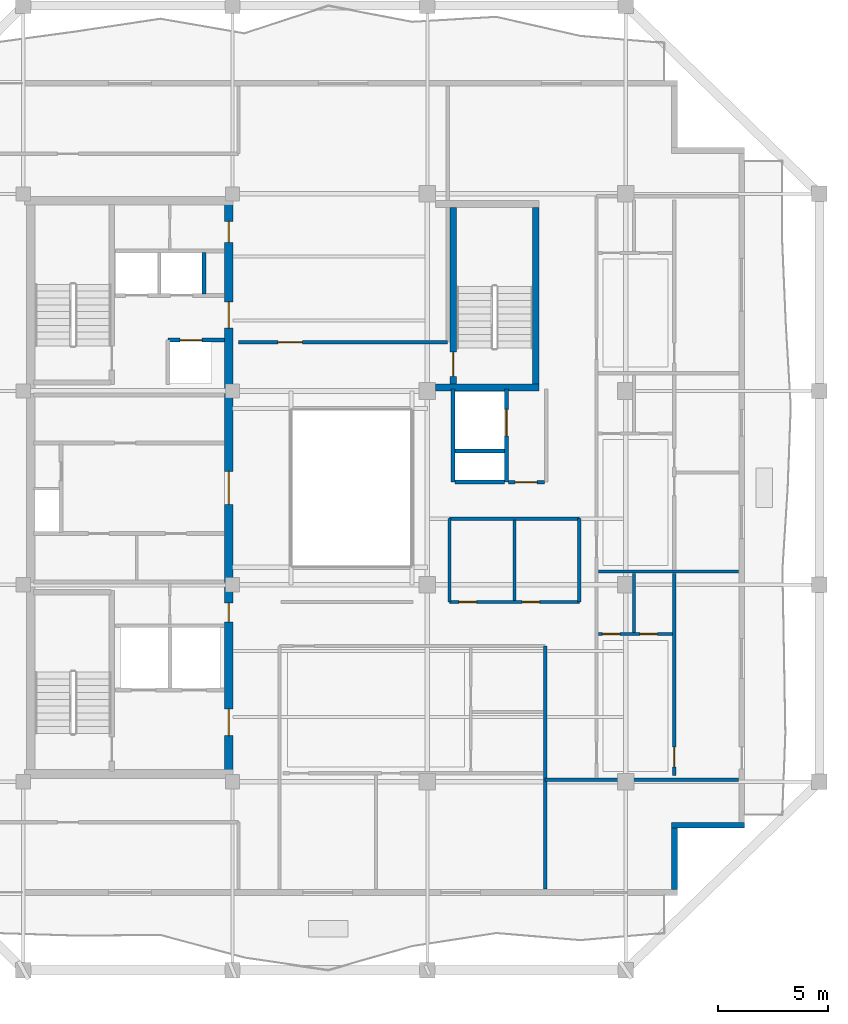
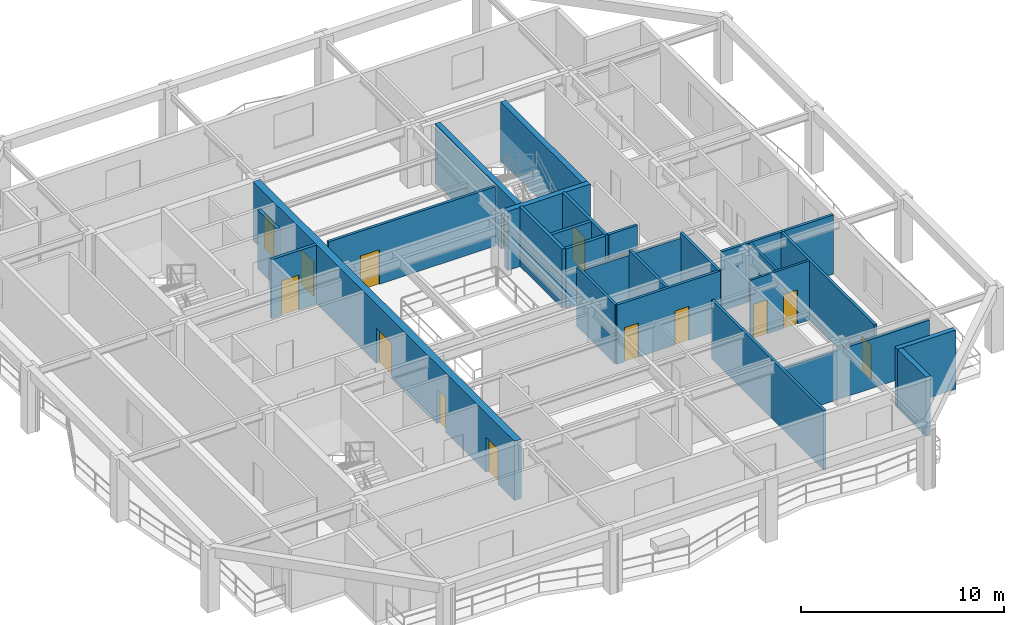
# One storey, part 4 of 10: 25 walls, 15 doors, 15 openings.
"""IFC4 building model written with IfcOpenShell, lengths in metres."""

from ifc_helpers import new_model, si_unit, direction, frame, frame_2d, origin, place, context, subcontext, project, spatial, rectangle, extrude, material, layer, layer_set, type_object, element, fill, save


model = new_model("IFC4")

# Units and contexts
model_context = context("Model", 3, precision=1e-05, world=origin(), true_north=direction((0.0, 1.0)))
body_context = subcontext(model_context, "Body", "Model", "MODEL_VIEW")
ifc_project = project(units=[si_unit("LENGTHUNIT", "METRE"), si_unit("AREAUNIT", "SQUARE_METRE"), si_unit("VOLUMEUNIT", "CUBIC_METRE"), si_unit("PLANEANGLEUNIT", "RADIAN"), si_unit("MASSUNIT", "GRAM", prefix="KILO")], contexts=[model_context])

# Site, building, storey
site_placement = place(None, origin())
site = spatial("IfcSite", under=ifc_project, at=site_placement, CompositionType="ELEMENT")
building_placement = place(site_placement, origin())
building = spatial("IfcBuilding", under=site, at=building_placement, Name="Kundavana Baori Tower", CompositionType="ELEMENT")
storey_placement = place(building_placement, frame((0.0, 0.0, 320.10009765625)))
storey = spatial("IfcBuildingStorey", under=building, at=storey_placement, Name="L79", CompositionType="ELEMENT", Elevation=320.10009765625)

# Wall, openings, doors
ifc_material_1 = material(Name="Concrete C50/60", Category="concrete")
ifc_layer_1 = layer(ifc_material_1, 0.39990234375, Name="WL-CORE-400")
ifc_layer_set_1 = layer_set([ifc_layer_1], Name="Concrete C50/60")
wall_type_1 = type_object("IfcWallType", Name="WL-CORE-400", PredefinedType="SHEAR", material=ifc_layer_set_1)
wall_1_placement = place(storey_placement, frame((24.780029296875, 15.739990234375, 0.0), z_axis=(0.0, 0.0, 1.0), x_axis=(0.0, 1.0, 0.0)))
wall_1 = element("IfcWall", 1, at=wall_1_placement, inside=storey, type_object=wall_type_1, Name="L79 Offset Core East Shear Wall", PredefinedType="SHEAR", context=body_context, shape_type="SweptSolid", body=[
    extrude(rectangle(XDim=25.760009765625, YDim=0.39990234375, at=frame_2d((12.8798828125, 0.0))), origin(), (0.0, 0.0, 1.0), 3.559814453125),
])
opening_1_placement = place(wall_1_placement, frame((1.610107421875, 0.0, 0.0)))
opening_1 = element("IfcOpeningElement", 2, at=opening_1_placement, cuts=wall_1, Name="Opening FD-120", PredefinedType="OPENING", context=body_context, shape_type="SweptSolid", body=[
    extrude(rectangle(XDim=1.199951171875, YDim=2.10009765625, at=frame_2d((0.60009765625, 1.050048828125))), frame((0.0, 0.2099609375, 0.0), z_axis=(0.0, -1.0, 0.0), x_axis=(1.0, 0.0, 0.0)), (0.0, 0.0, 1.0), 0.419921875),
])
opening_2_placement = place(wall_1_placement, frame((6.780029296875, 0.0, 0.0)))
opening_2 = element("IfcOpeningElement", 3, at=opening_2_placement, cuts=wall_1, Name="Opening FD-085", PredefinedType="OPENING", context=body_context, shape_type="SweptSolid", body=[
    extrude(rectangle(XDim=0.85009765625, YDim=2.06005859375, at=frame_2d((0.425048828125, 1.030029296875))), frame((0.0, 0.2099609375, 0.0), z_axis=(0.0, -1.0, 0.0), x_axis=(1.0, 0.0, 0.0)), (0.0, 0.0, 1.0), 0.419921875),
])
opening_3_placement = place(wall_1_placement, frame((12.110107421875, 0.0, 0.0)))
opening_3 = element("IfcOpeningElement", 4, at=opening_3_placement, cuts=wall_1, Name="Opening FD-150", PredefinedType="OPENING", context=body_context, shape_type="SweptSolid", body=[
    extrude(rectangle(XDim=1.5, YDim=2.1201171875, at=frame_2d((0.75, 1.06005859375))), frame((0.0, 0.2099609375, 0.0), z_axis=(0.0, -1.0, 0.0), x_axis=(1.0, 0.0, 0.0)), (0.0, 0.0, 1.0), 0.419921875),
])
opening_4_placement = place(wall_1_placement, frame((20.110107421875, 0.0, 0.0)))
opening_4 = element("IfcOpeningElement", 5, at=opening_4_placement, cuts=wall_1, Name="Opening FD-122", PredefinedType="OPENING", context=body_context, shape_type="SweptSolid", body=[
    extrude(rectangle(XDim=1.199951171875, YDim=2.1201171875, at=frame_2d((0.60009765625, 1.06005859375))), frame((0.0, 0.2099609375, 0.0), z_axis=(0.0, -1.0, 0.0), x_axis=(1.0, 0.0, 0.0)), (0.0, 0.0, 1.0), 0.419921875),
])
opening_5_placement = place(wall_1_placement, frame((24.010009765625, 0.0, 0.0)))
opening_5 = element("IfcOpeningElement", 6, at=opening_5_placement, cuts=wall_1, Name="Opening FD-095", PredefinedType="OPENING", context=body_context, shape_type="SweptSolid", body=[
    extrude(rectangle(XDim=0.949951171875, YDim=2.10009765625, at=frame_2d((0.47509765625, 1.050048828125))), frame((0.0, 0.2099609375, 0.0), z_axis=(0.0, -1.0, 0.0), x_axis=(1.0, 0.0, 0.0)), (0.0, 0.0, 1.0), 0.419921875),
])
ifc_material_2 = material(Name="Galvanised Steel Fire-Rated Door Leaf", Category="steel")
door_type_1 = type_object("IfcDoorType", Name="DR-FD120-1200", OperationType="NOTDEFINED", PredefinedType="DOOR", material=ifc_material_2)
door_1_placement = place(opening_1_placement, frame((1.199951171875, 0.0, 0.0), z_axis=(0.0, 0.0, 1.0), x_axis=(-1.0, 0.0, 0.0)))
door_1 = element("IfcDoor", 7, at=door_1_placement, inside=storey, type_object=door_type_1, Name="DR-L79-FFLOB-E", OperationType="SINGLE_SWING_RIGHT", OverallHeight=2.10009765625, OverallWidth=1.199951171875, PredefinedType="DOOR", context=body_context, shape_type="SweptSolid", body=[
    extrude(rectangle(XDim=1.199951171875, YDim=2.10009765625, at=frame_2d((0.60009765625, 1.050048828125))), frame((0.0, 0.02490234375, 0.0), z_axis=(0.0, -1.0, 0.0), x_axis=(1.0, 0.0, 0.0)), (0.0, 0.0, 1.0), 0.050048828125),
])
fill(opening_1, door_1)
ifc_material_3 = material(Name="Galvanised Steel Fire-Rated Door Leaf", Category="steel")
door_type_2 = type_object("IfcDoorType", Name="DR-FD60-1200", OperationType="NOTDEFINED", PredefinedType="DOOR", material=ifc_material_3)
door_2_placement = place(opening_4_placement, frame((1.199951171875, 0.0, 0.0), z_axis=(0.0, 0.0, 1.0), x_axis=(-1.0, 0.0, 0.0)))
door_2 = element("IfcDoor", 8, at=door_2_placement, inside=storey, type_object=door_type_2, Name="DR-L79-HRLOB-E", OperationType="SINGLE_SWING_RIGHT", OverallHeight=2.1201171875, OverallWidth=1.199951171875, PredefinedType="DOOR", context=body_context, shape_type="SweptSolid", body=[
    extrude(rectangle(XDim=1.199951171875, YDim=2.1201171875, at=frame_2d((0.60009765625, 1.06005859375))), frame((0.0, 0.02490234375, 0.0), z_axis=(0.0, -1.0, 0.0), x_axis=(1.0, 0.0, 0.0)), (0.0, 0.0, 1.0), 0.050048828125),
])
fill(opening_4, door_2)
ifc_material_4 = material(Name="Galvanised Steel Fire-Rated Door Leaf", Category="steel")
door_type_3 = type_object("IfcDoorType", Name="DR-FD60-1500", OperationType="NOTDEFINED", PredefinedType="DOOR", material=ifc_material_4)
door_3_placement = place(opening_3_placement, frame((1.5, 0.0, 0.0), z_axis=(0.0, 0.0, 1.0), x_axis=(-1.0, 0.0, 0.0)))
door_3 = element("IfcDoor", 9, at=door_3_placement, inside=storey, type_object=door_type_3, Name="DR-L79-LIFTHALL-E", OperationType="SINGLE_SWING_LEFT", OverallHeight=2.1201171875, OverallWidth=1.5, PredefinedType="DOOR", context=body_context, shape_type="SweptSolid", body=[
    extrude(rectangle(XDim=1.5, YDim=2.1201171875, at=frame_2d((0.75, 1.06005859375))), frame((0.0, 0.02490234375, 0.0), z_axis=(0.0, -1.0, 0.0), x_axis=(1.0, 0.0, 0.0)), (0.0, 0.0, 1.0), 0.050048828125),
])
fill(opening_3, door_3)
ifc_material_5 = material(Name="Galvanised Steel Fire-Rated Door Leaf", Category="steel")
door_type_4 = type_object("IfcDoorType", Name="DR-FD60-850", OperationType="NOTDEFINED", PredefinedType="DOOR", material=ifc_material_5)
door_4_placement = place(opening_2_placement, frame((0.85009765625, 0.0, 0.0), z_axis=(0.0, 0.0, 1.0), x_axis=(-1.0, 0.0, 0.0)))
door_4 = element("IfcDoor", 10, at=door_4_placement, inside=storey, type_object=door_type_4, Name="DR-L79-CSMK2", OperationType="SINGLE_SWING_RIGHT", OverallHeight=2.06005859375, OverallWidth=0.85009765625, PredefinedType="DOOR", context=body_context, shape_type="SweptSolid", body=[
    extrude(rectangle(XDim=0.85009765625, YDim=2.06005859375, at=frame_2d((0.425048828125, 1.030029296875))), frame((0.0, 0.02490234375, 0.0), z_axis=(0.0, -1.0, 0.0), x_axis=(1.0, 0.0, 0.0)), (0.0, 0.0, 1.0), 0.050048828125),
])
fill(opening_2, door_4)
ifc_material_6 = material(Name="Engineered Teak Fire-Rated Timber Door Leaf", Category="wood")
door_type_5 = type_object("IfcDoorType", Name="DR-FD60-950", OperationType="NOTDEFINED", PredefinedType="DOOR", material=ifc_material_6)
door_5_placement = place(opening_5_placement, frame((0.949951171875, 0.0, 0.0), z_axis=(0.0, 0.0, 1.0), x_axis=(-1.0, 0.0, 0.0)))
door_5 = element("IfcDoor", 11, at=door_5_placement, inside=storey, type_object=door_type_5, Name="DR-L79-CSRV2", OperationType="SINGLE_SWING_RIGHT", OverallHeight=2.10009765625, OverallWidth=0.949951171875, PredefinedType="DOOR", context=body_context, shape_type="SweptSolid", body=[
    extrude(rectangle(XDim=0.949951171875, YDim=2.10009765625, at=frame_2d((0.47509765625, 1.050048828125))), frame((0.0, 0.02490234375, 0.0), z_axis=(0.0, -1.0, 0.0), x_axis=(1.0, 0.0, 0.0)), (0.0, 0.0, 1.0), 0.050048828125),
])
fill(opening_5, door_5)

# Walls
ifc_material_7 = material(Name="Kiln-Fired Terracotta Brick-Slip Masonry on Concrete C40/50", Category="masonry")
ifc_layer_2 = layer(ifc_material_7, 0.260009765625, Name="WL-EXT-BRK-260")
ifc_layer_set_2 = layer_set([ifc_layer_2], Name="Kiln-Fired Terracotta Brick-Slip Masonry on Concrete C40/50")
wall_type_2 = type_object("IfcWallType", Name="WL-EXT-BRK-260", PredefinedType="SOLIDWALL", material=ifc_layer_set_2)
wall_2_placement = place(storey_placement, frame((45.02001953125, 10.360107421875, 0.0), z_axis=(0.0, 0.0, 1.0), x_axis=(0.0, 1.0, 0.0)))
element("IfcWall", 12, at=wall_2_placement, inside=storey, type_object=wall_type_2, Name="L79 Exterior Insulated Facade Wall 02", PredefinedType="SOLIDWALL", context=body_context, shape_type="SweptSolid", body=[
    extrude(rectangle(XDim=2.789794921875, YDim=0.260009765625, at=frame_2d((1.39501953125, 0.0))), origin(), (0.0, 0.0, 1.0), 3.559814453125),
])
wall_3_placement = place(storey_placement, frame((44.889892578125, 13.280029296875, 0.0), z_axis=(0.0, 0.0, 1.0), x_axis=(1.0, 0.0, 0.0)))
element("IfcWall", 13, at=wall_3_placement, inside=storey, type_object=wall_type_2, Name="L79 Exterior Insulated Facade Wall 03", PredefinedType="SOLIDWALL", context=body_context, shape_type="SweptSolid", body=[
    extrude(rectangle(XDim=3.31005859375, YDim=0.260009765625, at=frame_2d((1.655029296875, 0.0))), origin(), (0.0, 0.0, 1.0), 3.559814453125),
])

# Wall, opening, door
ifc_material_8 = material(Name="Fire-Rated Gypsum Drywall on Galvanised Steel Studs", Category="steel")
ifc_layer_3 = layer(ifc_material_8, 0.14990234375, Name="WL-PART-150")
ifc_layer_set_3 = layer_set([ifc_layer_3], Name="Fire-Rated Gypsum Drywall on Galvanised Steel Studs")
wall_type_3 = type_object("IfcWallType", Name="WL-PART-150", PredefinedType="PARTITIONING", material=ifc_layer_set_3)
wall_4_placement = place(storey_placement, frame((37.47998046875, 28.860107421875, 0.0), z_axis=(0.0, 0.0, 1.0), x_axis=(1.0, 0.0, 0.0)))
wall_4 = element("IfcWall", 14, at=wall_4_placement, inside=storey, type_object=wall_type_3, Name="WL-L79-SVLOB-S", PredefinedType="PARTITIONING", context=body_context, shape_type="SweptSolid", body=[
    extrude(rectangle(XDim=1.64013671875, YDim=0.14990234375, at=frame_2d((0.820068359375, 0.0))), origin(), (0.0, 0.0, 1.0), 3.559814453125),
])
opening_6_placement = place(wall_4_placement, frame((0.300048828125, 0.0, 0.0)))
opening_6 = element("IfcOpeningElement", 15, at=opening_6_placement, cuts=wall_4, Name="Opening FD-100", PredefinedType="OPENING", context=body_context, shape_type="SweptSolid", body=[
    extrude(rectangle(XDim=1.0, YDim=2.10009765625, at=frame_2d((0.5, 1.050048828125))), frame((0.0, 0.0849609375, 0.0), z_axis=(0.0, -1.0, 0.0), x_axis=(1.0, 0.0, 0.0)), (0.0, 0.0, 1.0), 0.169921875),
])
ifc_material_9 = material(Name="Engineered Teak Fire-Rated Timber Door Leaf", Category="wood")
door_type_6 = type_object("IfcDoorType", Name="DR-FD60-1000", OperationType="NOTDEFINED", PredefinedType="DOOR", material=ifc_material_9)
door_6_placement = place(opening_6_placement, origin())
door_6 = element("IfcDoor", 16, at=door_6_placement, inside=storey, type_object=door_type_6, Name="DR-L79-SVLOB-OUT", OperationType="SINGLE_SWING_LEFT", OverallHeight=2.10009765625, OverallWidth=1.0, PredefinedType="DOOR", context=body_context, shape_type="SweptSolid", body=[
    extrude(rectangle(XDim=1.0, YDim=2.10009765625, at=frame_2d((0.5, 1.050048828125))), frame((0.0, 0.02490234375, 0.0), z_axis=(0.0, -1.0, 0.0), x_axis=(1.0, 0.0, 0.0)), (0.0, 0.0, 1.0), 0.050048828125),
])
fill(opening_6, door_6)

wall_5_placement = place(storey_placement, frame((25.219970703125, 35.219970703125, 0.0), z_axis=(0.0, 0.0, 1.0), x_axis=(1.0, 0.0, 0.0)))
wall_5 = element("IfcWall", 17, at=wall_5_placement, inside=storey, type_object=wall_type_3, Name="WL-L79-RN", PredefinedType="PARTITIONING", context=body_context, shape_type="SweptSolid", body=[
    extrude(rectangle(XDim=9.5, YDim=0.14990234375, at=frame_2d((4.75, 0.0))), origin(), (0.0, 0.0, 1.0), 3.559814453125),
])
opening_7_placement = place(wall_5_placement, frame((1.800048828125, 0.0, 0.0)))
opening_7 = element("IfcOpeningElement", 18, at=opening_7_placement, cuts=wall_5, Name="Opening ID-110", PredefinedType="OPENING", context=body_context, shape_type="SweptSolid", body=[
    extrude(rectangle(XDim=1.10009765625, YDim=2.080078125, at=frame_2d((0.550048828125, 1.0400390625))), frame((0.0, 0.0849609375, 0.0), z_axis=(0.0, -1.0, 0.0), x_axis=(1.0, 0.0, 0.0)), (0.0, 0.0, 1.0), 0.169921875),
])
ifc_material_10 = material(Name="Engineered Teak Solid-Core Timber Veneer", Category="wood")
door_type_7 = type_object("IfcDoorType", Name="DR-INT-1100", OperationType="NOTDEFINED", PredefinedType="DOOR", material=ifc_material_10)
door_7_placement = place(opening_7_placement, origin())
door_7 = element("IfcDoor", 19, at=door_7_placement, inside=storey, type_object=door_type_7, Name="DR-L79-RLNGN", OperationType="SINGLE_SWING_RIGHT", OverallHeight=2.080078125, OverallWidth=1.10009765625, PredefinedType="DOOR", context=body_context, shape_type="SweptSolid", body=[
    extrude(rectangle(XDim=1.10009765625, YDim=2.080078125, at=frame_2d((0.550048828125, 1.0400390625))), frame((0.0, 0.02490234375, 0.0), z_axis=(0.0, -1.0, 0.0), x_axis=(1.0, 0.0, 0.0)), (0.0, 0.0, 1.0), 0.050048828125),
])
fill(opening_7, door_7)

# Walls
wall_6_placement = place(storey_placement, frame((39.14990234375, 10.3798828125, 0.0), z_axis=(0.0, 0.0, 1.0), x_axis=(0.0, 1.0, 0.0)))
element("IfcWall", 20, at=wall_6_placement, inside=storey, type_object=wall_type_3, Name="WL-L79-RSEND", PredefinedType="PARTITIONING", context=body_context, shape_type="SweptSolid", body=[
    extrude(rectangle(XDim=11.0400390625, YDim=0.14990234375, at=frame_2d((5.52001953125, 0.0))), origin(), (0.0, 0.0, 1.0), 3.559814453125),
])
wall_7_placement = place(storey_placement, frame((39.14990234375, 15.35009765625, 0.0), z_axis=(0.0, 0.0, 1.0), x_axis=(1.0, 0.0, 0.0)))
element("IfcWall", 21, at=wall_7_placement, inside=storey, type_object=wall_type_3, Name="WL-L79-RES", PredefinedType="PARTITIONING", context=body_context, shape_type="SweptSolid", body=[
    extrude(rectangle(XDim=8.77001953125, YDim=0.14990234375, at=frame_2d((4.385009765625, 0.0))), origin(), (0.0, 0.0, 1.0), 2.9599609375),
])

# Wall, opening, door
wall_8_placement = place(storey_placement, frame((45.00390625, 15.530029296875, 0.0), z_axis=(0.0, 0.0, 1.0), x_axis=(0.0, 1.0, 0.0)))
wall_8 = element("IfcWall", 22, at=wall_8_placement, inside=storey, type_object=wall_type_3, Name="WL-L79-E1-VT", PredefinedType="PARTITIONING", context=body_context, shape_type="SweptSolid", body=[
    extrude(rectangle(XDim=9.18994140625, YDim=0.14990234375, at=frame_2d((4.594970703125, 0.0))), origin(), (0.0, 0.0, 1.0), 3.559814453125),
])
opening_8_placement = place(wall_8_placement, frame((0.39990234375, 0.0, 0.0)))
opening_8 = element("IfcOpeningElement", 23, at=opening_8_placement, cuts=wall_8, Name="Opening ID-090", PredefinedType="OPENING", context=body_context, shape_type="SweptSolid", body=[
    extrude(rectangle(XDim=0.89990234375, YDim=2.080078125, at=frame_2d((0.449951171875, 1.0400390625))), frame((0.0, 0.0849609375, 0.0), z_axis=(0.0, -1.0, 0.0), x_axis=(1.0, 0.0, 0.0)), (0.0, 0.0, 1.0), 0.169921875),
])
ifc_material_11 = material(Name="Engineered Teak Solid-Core Timber Veneer", Category="wood")
door_type_8 = type_object("IfcDoorType", Name="DR-INT-900", OperationType="NOTDEFINED", PredefinedType="DOOR", material=ifc_material_11)
door_8_placement = place(opening_8_placement, origin())
door_8 = element("IfcDoor", 24, at=door_8_placement, inside=storey, type_object=door_type_8, Name="DR-L79-E1-B1", OperationType="SINGLE_SWING_LEFT", OverallHeight=2.080078125, OverallWidth=0.89990234375, PredefinedType="DOOR", context=body_context, shape_type="SweptSolid", body=[
    extrude(rectangle(XDim=0.89990234375, YDim=2.080078125, at=frame_2d((0.449951171875, 1.0400390625))), frame((0.0, 0.02490234375, 0.0), z_axis=(0.0, -1.0, 0.0), x_axis=(1.0, 0.0, 0.0)), (0.0, 0.0, 1.0), 0.050048828125),
])
fill(opening_8, door_8)

# Wall
wall_9_placement = place(storey_placement, frame((41.56005859375, 24.800048828125, 0.0), z_axis=(0.0, 0.0, 1.0), x_axis=(1.0, 0.0, 0.0)))
element("IfcWall", 25, at=wall_9_placement, inside=storey, type_object=wall_type_3, Name="WL-L79-RED1", PredefinedType="PARTITIONING", context=body_context, shape_type="SweptSolid", body=[
    extrude(rectangle(XDim=6.35986328125, YDim=0.14990234375, at=frame_2d((3.179931640625, 0.0))), origin(), (0.0, 0.0, 1.0), 3.559814453125),
])

# Wall, openings, doors
wall_10_placement = place(storey_placement, frame((34.800048828125, 23.419921875, 0.0), z_axis=(0.0, 0.0, 1.0), x_axis=(1.0, 0.0, 0.0)))
wall_10 = element("IfcWall", 26, at=wall_10_placement, inside=storey, type_object=wall_type_3, Name="WL-L79-ALS", PredefinedType="PARTITIONING", context=body_context, shape_type="SweptSolid", body=[
    extrude(rectangle(XDim=5.89990234375, YDim=0.14990234375, at=frame_2d((2.949951171875, 0.0))), origin(), (0.0, 0.0, 1.0), 3.559814453125),
])
opening_9_placement = place(wall_10_placement, frame((0.429931640625, 0.0, 0.0)))
opening_9 = element("IfcOpeningElement", 27, at=opening_9_placement, cuts=wall_10, Name="Opening WD-080", PredefinedType="OPENING", context=body_context, shape_type="SweptSolid", body=[
    extrude(rectangle(XDim=0.800048828125, YDim=2.050048828125, at=frame_2d((0.39990234375, 1.02490234375))), frame((0.0, 0.0849609375, 0.0), z_axis=(0.0, -1.0, 0.0), x_axis=(1.0, 0.0, 0.0)), (0.0, 0.0, 1.0), 0.169921875),
])
opening_10_placement = place(wall_10_placement, frame((3.300048828125, 0.0, 0.0)))
opening_10 = element("IfcOpeningElement", 28, at=opening_10_placement, cuts=wall_10, Name="Opening WD-080", PredefinedType="OPENING", context=body_context, shape_type="SweptSolid", body=[
    extrude(rectangle(XDim=0.800048828125, YDim=2.050048828125, at=frame_2d((0.39990234375, 1.02490234375))), frame((0.0, 0.0849609375, 0.0), z_axis=(0.0, -1.0, 0.0), x_axis=(1.0, 0.0, 0.0)), (0.0, 0.0, 1.0), 0.169921875),
])
ifc_material_12 = material(Name="Engineered Teak Solid-Core Timber Veneer", Category="wood")
door_type_9 = type_object("IfcDoorType", Name="DR-WET-800", OperationType="NOTDEFINED", PredefinedType="DOOR", material=ifc_material_12)
door_9_placement = place(opening_9_placement, origin())
door_9 = element("IfcDoor", 29, at=door_9_placement, inside=storey, type_object=door_type_9, Name="DR-L79-RALC1", OperationType="SINGLE_SWING_LEFT", OverallHeight=2.050048828125, OverallWidth=0.800048828125, PredefinedType="DOOR", context=body_context, shape_type="SweptSolid", body=[
    extrude(rectangle(XDim=0.800048828125, YDim=2.050048828125, at=frame_2d((0.39990234375, 1.02490234375))), frame((0.0, 0.02490234375, 0.0), z_axis=(0.0, -1.0, 0.0), x_axis=(1.0, 0.0, 0.0)), (0.0, 0.0, 1.0), 0.050048828125),
])
fill(opening_9, door_9)
door_10_placement = place(opening_10_placement, origin())
door_10 = element("IfcDoor", 30, at=door_10_placement, inside=storey, type_object=door_type_9, Name="DR-L79-RALC2", OperationType="SINGLE_SWING_LEFT", OverallHeight=2.050048828125, OverallWidth=0.800048828125, PredefinedType="DOOR", context=body_context, shape_type="SweptSolid", body=[
    extrude(rectangle(XDim=0.800048828125, YDim=2.050048828125, at=frame_2d((0.39990234375, 1.02490234375))), frame((0.0, 0.02490234375, 0.0), z_axis=(0.0, -1.0, 0.0), x_axis=(1.0, 0.0, 0.0)), (0.0, 0.0, 1.0), 0.050048828125),
])
fill(opening_10, door_10)

# Walls
wall_11_placement = place(storey_placement, frame((34.800048828125, 27.199951171875, 0.0), z_axis=(0.0, 0.0, 1.0), x_axis=(1.0, 0.0, 0.0)))
element("IfcWall", 31, at=wall_11_placement, inside=storey, type_object=wall_type_3, Name="WL-L79-ALN", PredefinedType="PARTITIONING", context=body_context, shape_type="SweptSolid", body=[
    extrude(rectangle(XDim=5.89990234375, YDim=0.14990234375, at=frame_2d((2.949951171875, 0.0))), origin(), (0.0, 0.0, 1.0), 3.260009765625),
])
for number, where, z_axis, x_axis, name in (
    (32, (34.800048828125, 23.419921875, 0.0), (0.0, 0.0, 1.0), (0.0, 1.0, 0.0), "WL-L79-ALW"),
    (33, (40.699951171875, 23.419921875, 0.0), (0.0, 0.0, 1.0), (0.0, 1.0, 0.0), "WL-L79-ALE"),
):
    element("IfcWall", number, at=place(storey_placement, frame(where, z_axis=z_axis, x_axis=x_axis)), inside=storey, type_object=wall_type_3, Name=name, PredefinedType="PARTITIONING", context=body_context, shape_type="SweptSolid", body=[
        extrude(rectangle(XDim=3.780029296875, YDim=0.14990234375, at=frame_2d((1.89013671875, 0.0))), origin(), (0.0, 0.0, 1.0), 3.559814453125),
    ])
wall_12_placement = place(storey_placement, frame((37.75, 23.47998046875, 0.0), z_axis=(0.0, 0.0, 1.0), x_axis=(0.0, 1.0, 0.0)))
element("IfcWall", 34, at=wall_12_placement, inside=storey, type_object=wall_type_3, Name="WL-L79-ALD1", PredefinedType="PARTITIONING", context=body_context, shape_type="SweptSolid", body=[
    extrude(rectangle(XDim=3.659912109375, YDim=0.14990234375, at=frame_2d((1.830078125, 0.0))), origin(), (0.0, 0.0, 1.0), 3.559814453125),
])

# Wall, opening, door
ifc_material_13 = material(Name="Autoclaved Aerated Concrete Blockwork Masonry", Category="masonry")
ifc_layer_4 = layer(ifc_material_13, 0.179931640625, Name="WL-SHAFT-180")
ifc_layer_set_4 = layer_set([ifc_layer_4], Name="Autoclaved Aerated Concrete Blockwork Masonry")
wall_type_4 = type_object("IfcWallType", Name="WL-SHAFT-180", PredefinedType="SOLIDWALL", material=ifc_layer_set_4)
wall_13_placement = place(storey_placement, frame((22.02001953125, 35.31005859375, 0.0), z_axis=(0.0, 0.0, 1.0), x_axis=(1.0, 0.0, 0.0)))
wall_13 = element("IfcWall", 35, at=wall_13_placement, inside=storey, type_object=wall_type_4, Name="WL-L79-LP11-N", PredefinedType="SOLIDWALL", context=body_context, shape_type="SweptSolid", body=[
    extrude(rectangle(XDim=2.56005859375, YDim=0.179931640625, at=frame_2d((1.280029296875, 0.0))), origin(), (0.0, 0.0, 1.0), 3.559814453125),
])
opening_11_placement = place(wall_13_placement, frame((0.550048828125, 0.0, 0.0)))
opening_11 = element("IfcOpeningElement", 36, at=opening_11_placement, cuts=wall_13, Name="Opening LD-100", PredefinedType="OPENING", context=body_context, shape_type="SweptSolid", body=[
    extrude(rectangle(XDim=1.0, YDim=2.10009765625, at=frame_2d((0.5, 1.050048828125))), frame((0.0, 0.10009765625, 0.0), z_axis=(0.0, -1.0, 0.0), x_axis=(1.0, 0.0, 0.0)), (0.0, 0.0, 1.0), 0.199951171875),
])
ifc_material_14 = material(Name="Galvanised Steel Fire-Rated Door Leaf", Category="steel")
door_type_10 = type_object("IfcDoorType", Name="DR-SLIDE-LD1000", OperationType="NOTDEFINED", PredefinedType="DOOR", material=ifc_material_14)
door_11_placement = place(opening_11_placement, origin())
door_11 = element("IfcDoor", 37, at=door_11_placement, inside=storey, type_object=door_type_10, Name="DR-L79-LD-LP11", OperationType="DOUBLE_DOOR_SLIDING", OverallHeight=2.10009765625, OverallWidth=1.0, PredefinedType="DOOR", context=body_context, shape_type="SweptSolid", body=[
    extrude(rectangle(XDim=1.0, YDim=2.10009765625, at=frame_2d((0.5, 1.050048828125))), frame((0.0, 0.02490234375, 0.0), z_axis=(0.0, -1.0, 0.0), x_axis=(1.0, 0.0, 0.0)), (0.0, 0.0, 1.0), 0.050048828125),
])
fill(opening_11, door_11)

# Walls
wall_14_placement = place(storey_placement, frame((23.659912109375, 37.39990234375, 0.0), z_axis=(0.0, 0.0, 1.0), x_axis=(0.0, 1.0, 0.0)))
element("IfcWall", 38, at=wall_14_placement, inside=storey, type_object=wall_type_4, Name="WL-L79-HR-DIV2", PredefinedType="SOLIDWALL", context=body_context, shape_type="SweptSolid", body=[
    extrude(rectangle(XDim=1.900146484375, YDim=0.179931640625, at=frame_2d((0.9501953125, 0.0))), origin(), (0.0, 0.0, 1.0), 3.559814453125),
])
wall_15_placement = place(storey_placement, frame((34.9599609375, 28.860107421875, 0.0), z_axis=(0.0, 0.0, 1.0), x_axis=(0.0, 1.0, 0.0)))
element("IfcWall", 39, at=wall_15_placement, inside=storey, type_object=wall_type_4, Name="WL-L79-SVL-W", PredefinedType="SOLIDWALL", context=body_context, shape_type="SweptSolid", body=[
    extrude(rectangle(XDim=4.219970703125, YDim=0.179931640625, at=frame_2d((2.10986328125, 0.0))), origin(), (0.0, 0.0, 1.0), 3.559814453125),
])

# Wall, opening, door
wall_16_placement = place(storey_placement, frame((37.389892578125, 28.860107421875, 0.0), z_axis=(0.0, 0.0, 1.0), x_axis=(0.0, 1.0, 0.0)))
wall_16 = element("IfcWall", 40, at=wall_16_placement, inside=storey, type_object=wall_type_4, Name="WL-L79-SVL-E", PredefinedType="SOLIDWALL", context=body_context, shape_type="SweptSolid", body=[
    extrude(rectangle(XDim=4.219970703125, YDim=0.179931640625, at=frame_2d((2.10986328125, 0.0))), origin(), (0.0, 0.0, 1.0), 3.559814453125),
])
opening_12_placement = place(wall_16_placement, frame((2.10009765625, 0.0, 0.0)))
opening_12 = element("IfcOpeningElement", 41, at=opening_12_placement, cuts=wall_16, Name="Opening LD-120", PredefinedType="OPENING", context=body_context, shape_type="SweptSolid", body=[
    extrude(rectangle(XDim=1.199951171875, YDim=2.1201171875, at=frame_2d((0.60009765625, 1.06005859375))), frame((0.0, 0.10009765625, 0.0), z_axis=(0.0, -1.0, 0.0), x_axis=(1.0, 0.0, 0.0)), (0.0, 0.0, 1.0), 0.199951171875),
])
ifc_material_15 = material(Name="Galvanised Steel Fire-Rated Door Leaf", Category="steel")
door_type_11 = type_object("IfcDoorType", Name="DR-SLIDE-LD1200", OperationType="NOTDEFINED", PredefinedType="DOOR", material=ifc_material_15)
door_12_placement = place(opening_12_placement, frame((1.199951171875, 0.0, 0.0), z_axis=(0.0, 0.0, 1.0), x_axis=(-1.0, 0.0, 0.0)))
door_12 = element("IfcDoor", 42, at=door_12_placement, inside=storey, type_object=door_type_11, Name="DR-L79-LD-SVL1", OperationType="DOUBLE_DOOR_SLIDING", OverallHeight=2.1201171875, OverallWidth=1.199951171875, PredefinedType="DOOR", context=body_context, shape_type="SweptSolid", body=[
    extrude(rectangle(XDim=1.199951171875, YDim=2.1201171875, at=frame_2d((0.60009765625, 1.06005859375))), frame((0.0, 0.02490234375, 0.0), z_axis=(0.0, -1.0, 0.0), x_axis=(1.0, 0.0, 0.0)), (0.0, 0.0, 1.0), 0.050048828125),
])
fill(opening_12, door_12)

# Walls
for number, where, z_axis, x_axis, name in (
    (43, (35.050048828125, 28.860107421875, 0.0), (0.0, 0.0, 1.0), (1.0, 0.0, 0.0), "WL-L79-SVL-S"),
    (44, (35.050048828125, 30.27001953125, 0.0), (0.0, 0.0, 1.0), (1.0, 0.0, 0.0), "WL-L79-SVL-M"),
):
    element("IfcWall", number, at=place(storey_placement, frame(where, z_axis=z_axis, x_axis=x_axis)), inside=storey, type_object=wall_type_4, Name=name, PredefinedType="SOLIDWALL", context=body_context, shape_type="SweptSolid", body=[
        extrude(rectangle(XDim=2.25, YDim=0.179931640625, at=frame_2d((1.125, 0.0))), origin(), (0.0, 0.0, 1.0), 3.559814453125),
    ])
ifc_material_16 = material(Name="Concrete C50/60", Category="concrete")
ifc_layer_5 = layer(ifc_material_16, 0.300048828125, Name="WL-ST3-300")
ifc_layer_set_5 = layer_set([ifc_layer_5], Name="Concrete C50/60")
wall_type_5 = type_object("IfcWallType", Name="WL-ST3-300", PredefinedType="SHEAR", material=ifc_layer_set_5)
wall_17_placement = place(storey_placement, frame((34.175048828125, 33.159912109375, 0.0), z_axis=(0.0, 0.0, 1.0), x_axis=(1.0, 0.0, 0.0)))
element("IfcWall", 45, at=wall_17_placement, inside=storey, type_object=wall_type_5, Name="L79 Stair ST3 South Shear Wall", PredefinedType="SHEAR", context=body_context, shape_type="SweptSolid", body=[
    extrude(rectangle(XDim=4.695068359375, YDim=0.300048828125, at=frame_2d((2.34765625, 0.0))), origin(), (0.0, 0.0, 1.0), 3.559814453125),
])

# Wall, opening, door
wall_18_placement = place(storey_placement, frame((34.97998046875, 33.31005859375, 0.0), z_axis=(0.0, 0.0, 1.0), x_axis=(0.0, 1.0, 0.0)))
wall_18 = element("IfcWall", 46, at=wall_18_placement, inside=storey, type_object=wall_type_5, Name="L79 Stair ST3 West Shear Wall", PredefinedType="SHEAR", context=body_context, shape_type="SweptSolid", body=[
    extrude(rectangle(XDim=8.030029296875, YDim=0.300048828125, at=frame_2d((4.01513671875, 0.0))), origin(), (0.0, 0.0, 1.0), 3.559814453125),
])
opening_13_placement = place(wall_18_placement, frame((0.35009765625, 0.0, 0.0)))
opening_13 = element("IfcOpeningElement", 47, at=opening_13_placement, cuts=wall_18, Name="Opening FD-110", PredefinedType="OPENING", context=body_context, shape_type="SweptSolid", body=[
    extrude(rectangle(XDim=1.10009765625, YDim=2.10009765625, at=frame_2d((0.550048828125, 1.050048828125))), frame((0.0, 0.16015625, 0.0), z_axis=(0.0, -1.0, 0.0), x_axis=(1.0, 0.0, 0.0)), (0.0, 0.0, 1.0), 0.320068359375),
])
ifc_material_17 = material(Name="Galvanised Steel Fire-Rated Door Leaf", Category="steel")
door_type_12 = type_object("IfcDoorType", Name="DR-FD120-1100", OperationType="NOTDEFINED", PredefinedType="DOOR", material=ifc_material_17)
door_13_placement = place(opening_13_placement, origin())
door_13 = element("IfcDoor", 48, at=door_13_placement, inside=storey, type_object=door_type_12, Name="DR-L79-ST3-W", OperationType="SINGLE_SWING_LEFT", OverallHeight=2.10009765625, OverallWidth=1.10009765625, PredefinedType="DOOR", context=body_context, shape_type="SweptSolid", body=[
    extrude(rectangle(XDim=1.10009765625, YDim=2.10009765625, at=frame_2d((0.550048828125, 1.050048828125))), frame((0.0, 0.02490234375, 0.0), z_axis=(0.0, -1.0, 0.0), x_axis=(1.0, 0.0, 0.0)), (0.0, 0.0, 1.0), 0.050048828125),
])
fill(opening_13, door_13)

# Wall
wall_19_placement = place(storey_placement, frame((38.719970703125, 33.31005859375, 0.0), z_axis=(0.0, 0.0, 1.0), x_axis=(0.0, 1.0, 0.0)))
element("IfcWall", 49, at=wall_19_placement, inside=storey, type_object=wall_type_5, Name="L79 Stair ST3 East Shear Wall", PredefinedType="SHEAR", context=body_context, shape_type="SweptSolid", body=[
    extrude(rectangle(XDim=8.030029296875, YDim=0.300048828125, at=frame_2d((4.01513671875, 0.0))), origin(), (0.0, 0.0, 1.0), 3.559814453125),
])

# Wall, openings, doors
ifc_material_18 = material(Name="Autoclaved Aerated Concrete Blockwork Masonry", Category="masonry")
ifc_layer_6 = layer(ifc_material_18, 0.125, Name="WL-WET-120")
ifc_layer_set_6 = layer_set([ifc_layer_6], Name="Autoclaved Aerated Concrete Blockwork Masonry")
wall_type_6 = type_object("IfcWallType", Name="WL-WET-120", PredefinedType="PLUMBINGWALL", material=ifc_layer_set_6)
wall_20_placement = place(storey_placement, frame((41.580078125, 21.962890625, 0.0), z_axis=(0.0, 0.0, 1.0), x_axis=(1.0, 0.0, 0.0)))
wall_20 = element("IfcWall", 50, at=wall_20_placement, inside=storey, type_object=wall_type_6, Name="WL-L79-E1-KH", PredefinedType="PLUMBINGWALL", context=body_context, shape_type="SweptSolid", body=[
    extrude(rectangle(XDim=3.343994140625, YDim=0.125, at=frame_2d((1.671875, 0.0))), origin(), (0.0, 0.0, 1.0), 3.559814453125),
])
opening_14_placement = place(wall_20_placement, frame((0.159912109375, 0.0, 0.0)))
opening_14 = element("IfcOpeningElement", 51, at=opening_14_placement, cuts=wall_20, Name="Opening WD-080", PredefinedType="OPENING", context=body_context, shape_type="SweptSolid", body=[
    extrude(rectangle(XDim=0.800048828125, YDim=2.050048828125, at=frame_2d((0.39990234375, 1.02490234375))), frame((0.0, 0.072509765625, 0.0), z_axis=(0.0, -1.0, 0.0), x_axis=(1.0, 0.0, 0.0)), (0.0, 0.0, 1.0), 0.14501953125),
])
opening_15_placement = place(wall_20_placement, frame((1.864990234375, 0.0, 0.0)))
opening_15 = element("IfcOpeningElement", 52, at=opening_15_placement, cuts=wall_20, Name="Opening WD-080", PredefinedType="OPENING", context=body_context, shape_type="SweptSolid", body=[
    extrude(rectangle(XDim=0.800048828125, YDim=2.050048828125, at=frame_2d((0.39990234375, 1.02490234375))), frame((0.0, 0.072509765625, 0.0), z_axis=(0.0, -1.0, 0.0), x_axis=(1.0, 0.0, 0.0)), (0.0, 0.0, 1.0), 0.14501953125),
])
door_14_placement = place(opening_14_placement, origin())
door_14 = element("IfcDoor", 53, at=door_14_placement, inside=storey, type_object=door_type_9, Name="DR-L79-E1-BT", OperationType="SINGLE_SWING_LEFT", OverallHeight=2.050048828125, OverallWidth=0.800048828125, PredefinedType="DOOR", context=body_context, shape_type="SweptSolid", body=[
    extrude(rectangle(XDim=0.800048828125, YDim=2.050048828125, at=frame_2d((0.39990234375, 1.02490234375))), frame((0.0, 0.02490234375, 0.0), z_axis=(0.0, -1.0, 0.0), x_axis=(1.0, 0.0, 0.0)), (0.0, 0.0, 1.0), 0.050048828125),
])
fill(opening_14, door_14)
door_15_placement = place(opening_15_placement, origin())
door_15 = element("IfcDoor", 54, at=door_15_placement, inside=storey, type_object=door_type_9, Name="DR-L79-E1-KT", OperationType="SINGLE_SWING_RIGHT", OverallHeight=2.050048828125, OverallWidth=0.800048828125, PredefinedType="DOOR", context=body_context, shape_type="SweptSolid", body=[
    extrude(rectangle(XDim=0.800048828125, YDim=2.050048828125, at=frame_2d((0.39990234375, 1.02490234375))), frame((0.0, 0.02490234375, 0.0), z_axis=(0.0, -1.0, 0.0), x_axis=(1.0, 0.0, 0.0)), (0.0, 0.0, 1.0), 0.050048828125),
])
fill(opening_15, door_15)

# Wall
wall_21_placement = place(storey_placement, frame((43.18505859375, 22.04296875, 0.0), z_axis=(0.0, 0.0, 1.0), x_axis=(0.0, 1.0, 0.0)))
element("IfcWall", 55, at=wall_21_placement, inside=storey, type_object=wall_type_6, Name="WL-L79-E1-BV", PredefinedType="PLUMBINGWALL", context=body_context, shape_type="SweptSolid", body=[
    extrude(rectangle(XDim=2.677001953125, YDim=0.125, at=frame_2d((1.33837890625, 0.0))), origin(), (0.0, 0.0, 1.0), 3.559814453125),
])

save(model, "model.ifc")
